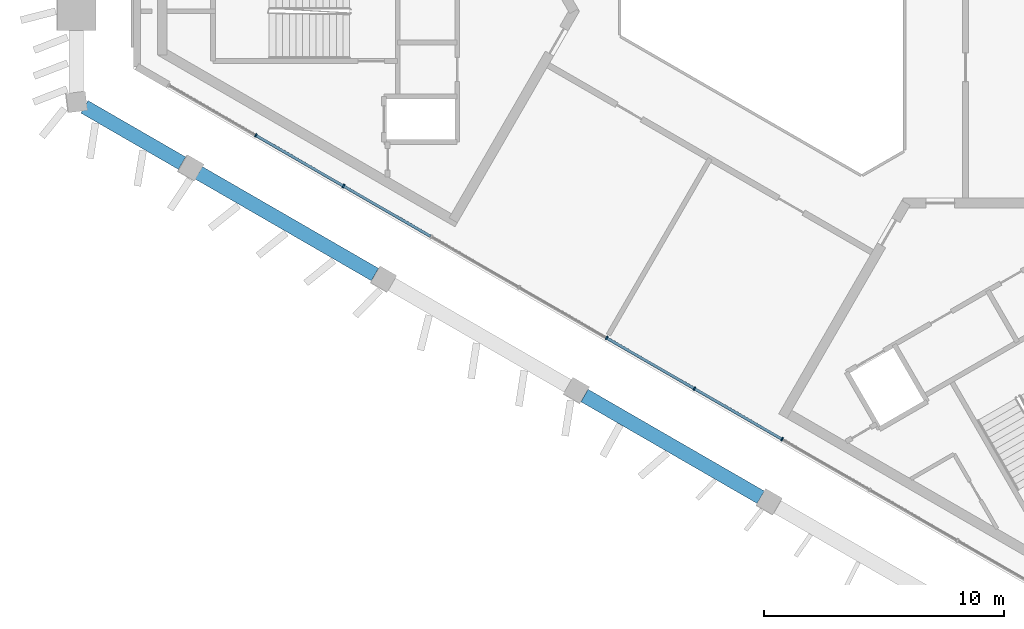
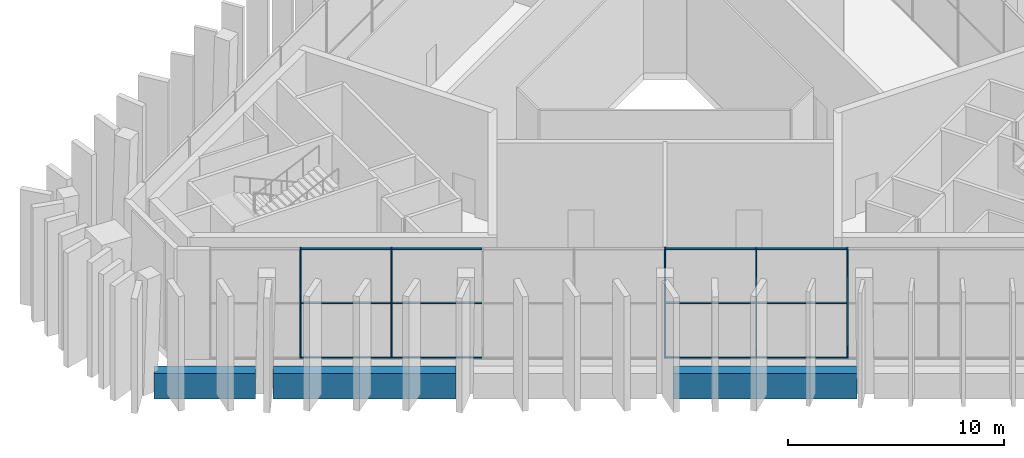
# One storey, part 2 of 13: 17 members, 3 beams, 1 element without a shape of its own.
"""IFC4 building model written with IfcOpenShell, lengths in metres."""

from ifc_helpers import new_model, si_unit, direction, frame, origin, origin_2d, place, context, subcontext, project, spatial, rectangle, extrude, material, layer, layer_set, material_profile, profile_set, type_object, element, aggregate, save


model = new_model("IFC4")

# Units and contexts
model_context = context("Model", 3, precision=1e-05, world=origin(), true_north=direction((0.0, 1.0)))
body_context = subcontext(model_context, "Body", "Model", "MODEL_VIEW")
ifc_project = project(units=[si_unit("LENGTHUNIT", "METRE"), si_unit("AREAUNIT", "SQUARE_METRE"), si_unit("VOLUMEUNIT", "CUBIC_METRE"), si_unit("PLANEANGLEUNIT", "RADIAN"), si_unit("MASSUNIT", "GRAM", prefix="KILO")], contexts=[model_context])

# Site, building, storey
site_placement = place(None, origin())
site = spatial("IfcSite", under=ifc_project, at=site_placement, CompositionType="ELEMENT")
building_placement = place(site_placement, origin())
building = spatial("IfcBuilding", under=site, at=building_placement, Name="Jabali Bay Hotel Tower and Convention Centre", CompositionType="ELEMENT")
storey_placement = place(building_placement, frame((0.0, 0.0, 315.800048828125)))
storey = spatial("IfcBuildingStorey", under=building, at=storey_placement, Name="L77", CompositionType="ELEMENT", Elevation=315.800048828125)

# Curtain wall, members
ifc_material_1 = material(Name="Aluminium and glass", Category="aluminium")
ifc_layer = layer(ifc_material_1, 0.159912109375)
ifc_layer_set = layer_set([ifc_layer], Name="Aluminium and glass")
curtain_wall_type = type_object("IfcCurtainWallType", Name="CW3 curtain wall", PredefinedType="NOTDEFINED", material=ifc_layer_set)
curtain_wall_placement = place(storey_placement, origin())
curtain_wall = element("IfcCurtainWall", 1, at=curtain_wall_placement, inside=storey, type_object=curtain_wall_type, Name="CW3 curtain wall south-west face L77", PredefinedType="NOTDEFINED")
ifc_material_2 = material(Name="Aluminium", Category="aluminium")
ifc_material_profile_1 = material_profile(ifc_material_2, rectangle(XDim=0.159912109375, YDim=0.06005859375, at=origin_2d()), Name="CW3 mullion 60 x 160")
ifc_profile_set_1 = profile_set([ifc_material_profile_1], Name="Aluminium")
member_type_1 = type_object("IfcMemberType", Name="CW3 mullion 60 x 160", PredefinedType="MULLION", material=ifc_profile_set_1)
member_1_placement = place(storey_placement, frame((74.45068359375, 62.15380859375, 0.0), z_axis=(0.0, 0.0, 1.0), x_axis=(-0.500000004081, -0.866025401428, 0.0)))
member_1 = element("IfcMember", 2, at=member_1_placement, type_object=member_type_1, Name="CW3 mullion 4", PredefinedType="MULLION", context=body_context, shape_type="SweptSolid", body=[
    extrude(rectangle(XDim=0.159912109375, YDim=0.06005859375, at=origin_2d()), origin(), (0.0, 0.0, 1.0), 6.199951171875),
])
member_2_placement = place(storey_placement, frame((70.792724609375, 64.265625, 0.0), z_axis=(0.0, 0.0, 1.0), x_axis=(-0.500000004081, -0.866025401428, 0.0)))
member_2 = element("IfcMember", 3, at=member_2_placement, type_object=member_type_1, Name="CW3 mullion 5", PredefinedType="MULLION", context=body_context, shape_type="SweptSolid", body=[
    extrude(rectangle(XDim=0.159912109375, YDim=0.06005859375, at=origin_2d()), origin(), (0.0, 0.0, 1.0), 6.199951171875),
])
member_3_placement = place(storey_placement, frame((67.135009765625, 66.37744140625, 0.0), z_axis=(0.0, 0.0, 1.0), x_axis=(-0.500000004081, -0.866025401428, 0.0)))
member_3 = element("IfcMember", 4, at=member_3_placement, type_object=member_type_1, Name="CW3 mullion 6", PredefinedType="MULLION", context=body_context, shape_type="SweptSolid", body=[
    extrude(rectangle(XDim=0.159912109375, YDim=0.06005859375, at=origin_2d()), origin(), (0.0, 0.0, 1.0), 6.199951171875),
])
member_4_placement = place(storey_placement, frame((56.16162109375, 72.712890625, 0.0), z_axis=(0.0, 0.0, 1.0), x_axis=(-0.500000004081, -0.866025401428, 0.0)))
member_4 = element("IfcMember", 5, at=member_4_placement, type_object=member_type_1, Name="CW3 mullion 9", PredefinedType="MULLION", context=body_context, shape_type="SweptSolid", body=[
    extrude(rectangle(XDim=0.159912109375, YDim=0.06005859375, at=origin_2d()), origin(), (0.0, 0.0, 1.0), 6.199951171875),
])
member_5_placement = place(storey_placement, frame((52.503662109375, 74.82470703125, 0.0), z_axis=(0.0, 0.0, 1.0), x_axis=(-0.500000004081, -0.866025401428, 0.0)))
member_5 = element("IfcMember", 6, at=member_5_placement, type_object=member_type_1, Name="CW3 mullion 10", PredefinedType="MULLION", context=body_context, shape_type="SweptSolid", body=[
    extrude(rectangle(XDim=0.159912109375, YDim=0.06005859375, at=origin_2d()), origin(), (0.0, 0.0, 1.0), 6.199951171875),
])
ifc_material_profile_2 = material_profile(ifc_material_2, rectangle(XDim=0.1201171875, YDim=0.06005859375, at=origin_2d()), Name="CW3 transom 60 x 120")
ifc_profile_set_2 = profile_set([ifc_material_profile_2], Name="Aluminium")
member_type_2 = type_object("IfcMemberType", Name="CW3 transom 60 x 120", PredefinedType="USERDEFINED", material=ifc_profile_set_2)
member_6_placement = place(storey_placement, frame((74.424560546875, 62.168701171875, 0.030029296875), z_axis=(-0.866022512394, 0.500005008002, 0.0), x_axis=(-0.500005008002, -0.866022512394, 0.0)))
member_6 = element("IfcMember", 7, at=member_6_placement, type_object=member_type_2, Name="CW3 transom 4.1", ObjectType="TRANSOM", PredefinedType="USERDEFINED", context=body_context, shape_type="SweptSolid", body=[
    extrude(rectangle(XDim=0.1201171875, YDim=0.06005859375, at=origin_2d()), origin(), (0.0, 0.0, 1.0), 4.16357421875),
])
member_7_placement = place(storey_placement, frame((74.424560546875, 62.168701171875, 3.099853515625), z_axis=(-0.866022512394, 0.500005008002, 0.0), x_axis=(-0.500005008002, -0.866022512394, 0.0)))
member_7 = element("IfcMember", 8, at=member_7_placement, type_object=member_type_2, Name="CW3 transom 4.2", ObjectType="TRANSOM", PredefinedType="USERDEFINED", context=body_context, shape_type="SweptSolid", body=[
    extrude(rectangle(XDim=0.1201171875, YDim=0.06005859375, at=origin_2d()), origin(), (0.0, 0.0, 1.0), 4.16357421875),
])
member_8_placement = place(storey_placement, frame((74.424560546875, 62.168701171875, 6.169921875), z_axis=(-0.866022512394, 0.500005008002, 0.0), x_axis=(-0.500005008002, -0.866022512394, 0.0)))
member_8 = element("IfcMember", 9, at=member_8_placement, type_object=member_type_2, Name="CW3 transom 4.3", ObjectType="TRANSOM", PredefinedType="USERDEFINED", context=body_context, shape_type="SweptSolid", body=[
    extrude(rectangle(XDim=0.1201171875, YDim=0.06005859375, at=origin_2d()), origin(), (0.0, 0.0, 1.0), 4.16357421875),
])
member_9_placement = place(storey_placement, frame((70.766845703125, 64.280517578125, 0.030029296875), z_axis=(-0.866037171035, 0.49997961797, 0.0), x_axis=(-0.49997961797, -0.866037171035, 0.0)))
member_9 = element("IfcMember", 10, at=member_9_placement, type_object=member_type_2, Name="CW3 transom 5.1", ObjectType="TRANSOM", PredefinedType="USERDEFINED", context=body_context, shape_type="SweptSolid", body=[
    extrude(rectangle(XDim=0.1201171875, YDim=0.06005859375, at=origin_2d()), origin(), (0.0, 0.0, 1.0), 4.163818359375),
])
member_10_placement = place(storey_placement, frame((70.766845703125, 64.280517578125, 3.099853515625), z_axis=(-0.866037171035, 0.49997961797, 0.0), x_axis=(-0.49997961797, -0.866037171035, 0.0)))
member_10 = element("IfcMember", 11, at=member_10_placement, type_object=member_type_2, Name="CW3 transom 5.2", ObjectType="TRANSOM", PredefinedType="USERDEFINED", context=body_context, shape_type="SweptSolid", body=[
    extrude(rectangle(XDim=0.1201171875, YDim=0.06005859375, at=origin_2d()), origin(), (0.0, 0.0, 1.0), 4.163818359375),
])
member_11_placement = place(storey_placement, frame((70.766845703125, 64.280517578125, 6.169921875), z_axis=(-0.866037171035, 0.49997961797, 0.0), x_axis=(-0.49997961797, -0.866037171035, 0.0)))
member_11 = element("IfcMember", 12, at=member_11_placement, type_object=member_type_2, Name="CW3 transom 5.3", ObjectType="TRANSOM", PredefinedType="USERDEFINED", context=body_context, shape_type="SweptSolid", body=[
    extrude(rectangle(XDim=0.1201171875, YDim=0.06005859375, at=origin_2d()), origin(), (0.0, 0.0, 1.0), 4.163818359375),
])
member_12_placement = place(storey_placement, frame((59.79345703125, 70.6162109375, 0.030029296875), z_axis=(-0.866037171035, 0.49997961797, 0.0), x_axis=(-0.49997961797, -0.866037171035, 0.0)))
member_12 = element("IfcMember", 13, at=member_12_placement, type_object=member_type_2, Name="CW3 transom 8.1", ObjectType="TRANSOM", PredefinedType="USERDEFINED", context=body_context, shape_type="SweptSolid", body=[
    extrude(rectangle(XDim=0.1201171875, YDim=0.06005859375, at=origin_2d()), origin(), (0.0, 0.0, 1.0), 4.163818359375),
])
member_13_placement = place(storey_placement, frame((59.79345703125, 70.6162109375, 3.099853515625), z_axis=(-0.866037171035, 0.49997961797, 0.0), x_axis=(-0.49997961797, -0.866037171035, 0.0)))
member_13 = element("IfcMember", 14, at=member_13_placement, type_object=member_type_2, Name="CW3 transom 8.2", ObjectType="TRANSOM", PredefinedType="USERDEFINED", context=body_context, shape_type="SweptSolid", body=[
    extrude(rectangle(XDim=0.1201171875, YDim=0.06005859375, at=origin_2d()), origin(), (0.0, 0.0, 1.0), 4.163818359375),
])
member_14_placement = place(storey_placement, frame((59.79345703125, 70.6162109375, 6.169921875), z_axis=(-0.866037171035, 0.49997961797, 0.0), x_axis=(-0.49997961797, -0.866037171035, 0.0)))
member_14 = element("IfcMember", 15, at=member_14_placement, type_object=member_type_2, Name="CW3 transom 8.3", ObjectType="TRANSOM", PredefinedType="USERDEFINED", context=body_context, shape_type="SweptSolid", body=[
    extrude(rectangle(XDim=0.1201171875, YDim=0.06005859375, at=origin_2d()), origin(), (0.0, 0.0, 1.0), 4.163818359375),
])
member_15_placement = place(storey_placement, frame((56.135498046875, 72.72802734375, 0.030029296875), z_axis=(-0.866022512394, 0.500005008002, 0.0), x_axis=(-0.500005008002, -0.866022512394, 0.0)))
member_15 = element("IfcMember", 16, at=member_15_placement, type_object=member_type_2, Name="CW3 transom 9.1", ObjectType="TRANSOM", PredefinedType="USERDEFINED", context=body_context, shape_type="SweptSolid", body=[
    extrude(rectangle(XDim=0.1201171875, YDim=0.06005859375, at=origin_2d()), origin(), (0.0, 0.0, 1.0), 4.16357421875),
])
member_16_placement = place(storey_placement, frame((56.135498046875, 72.72802734375, 3.099853515625), z_axis=(-0.866022512394, 0.500005008002, 0.0), x_axis=(-0.500005008002, -0.866022512394, 0.0)))
member_16 = element("IfcMember", 17, at=member_16_placement, type_object=member_type_2, Name="CW3 transom 9.2", ObjectType="TRANSOM", PredefinedType="USERDEFINED", context=body_context, shape_type="SweptSolid", body=[
    extrude(rectangle(XDim=0.1201171875, YDim=0.06005859375, at=origin_2d()), origin(), (0.0, 0.0, 1.0), 4.16357421875),
])
member_17_placement = place(storey_placement, frame((56.135498046875, 72.72802734375, 6.169921875), z_axis=(-0.866022512394, 0.500005008002, 0.0), x_axis=(-0.500005008002, -0.866022512394, 0.0)))
member_17 = element("IfcMember", 18, at=member_17_placement, type_object=member_type_2, Name="CW3 transom 9.3", ObjectType="TRANSOM", PredefinedType="USERDEFINED", context=body_context, shape_type="SweptSolid", body=[
    extrude(rectangle(XDim=0.1201171875, YDim=0.06005859375, at=origin_2d()), origin(), (0.0, 0.0, 1.0), 4.16357421875),
])
aggregate(curtain_wall, [member_1, member_2, member_3, member_4, member_5, member_6, member_7, member_8, member_9, member_10, member_11, member_12, member_13, member_14, member_15, member_16, member_17])

# Beams
ifc_material_3 = material(Name="Concrete C60", Category="concrete")
ifc_material_profile_3 = material_profile(ifc_material_3, rectangle(XDim=0.60009765625, YDim=1.449951171875, at=origin_2d()), Name="Spandrel 600x1450")
ifc_profile_set_3 = profile_set([ifc_material_profile_3], Name="Concrete C60")
beam_type = type_object("IfcBeamType", Name="Spandrel 600x1450", PredefinedType="SPANDREL", material=ifc_profile_set_3)
beam_placement = place(storey_placement, frame((45.3564453125, 76.015380859375, 0.375), z_axis=(0.866027409508, -0.499996525969, 0.0), x_axis=(0.499996525969, 0.866027409508, 0.0)))
element("IfcBeam", 19, at=beam_placement, inside=storey, type_object=beam_type, Name="Spandrel V4-F2.1 L77", PredefinedType="SPANDREL", context=body_context, shape_type="SweptSolid", body=[
    extrude(rectangle(XDim=0.60009765625, YDim=1.449951171875, at=origin_2d()), origin(), (0.0, 0.0, 1.0), 4.70361328125),
])
for number, where, z_axis, x_axis, name in (
    (20, (50.122802734375, 73.263671875, 0.375), (0.866030874578, -0.499990524188, 0.0), (0.499990524188, 0.866030874578, 0.0), "Spandrel F2.1-F2.2 L77"),
    (21, (66.210205078125, 63.9755859375, 0.375), (0.866030874578, -0.499990524188, 0.0), (0.499990524188, 0.866030874578, 0.0), "Spandrel F2.3-F2.4 L77"),
):
    element("IfcBeam", number, at=place(storey_placement, frame(where, z_axis=z_axis, x_axis=x_axis)), inside=storey, type_object=beam_type, Name=name, PredefinedType="SPANDREL", context=body_context, shape_type="SweptSolid", body=[
        extrude(rectangle(XDim=0.60009765625, YDim=1.449951171875, at=origin_2d()), origin(), (0.0, 0.0, 1.0), 8.488037109375),
    ])

save(model, "model.ifc")
